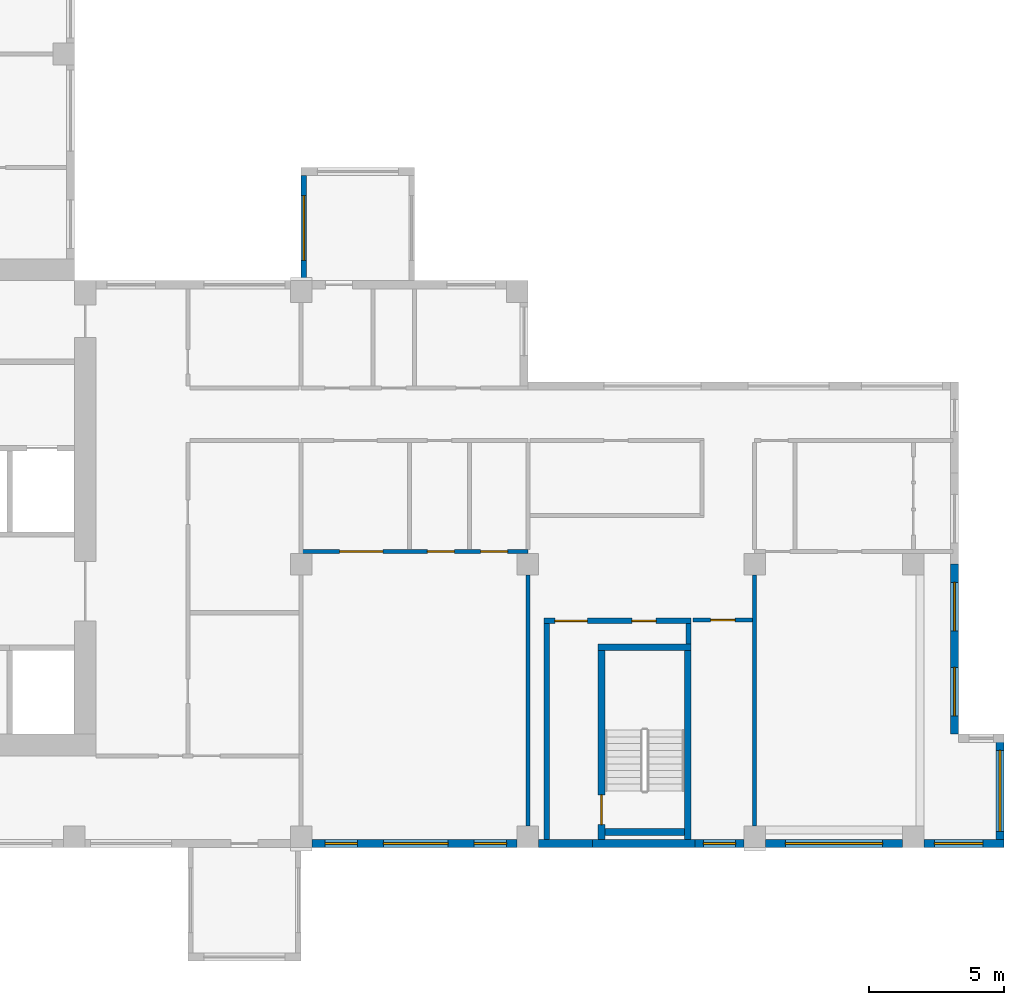
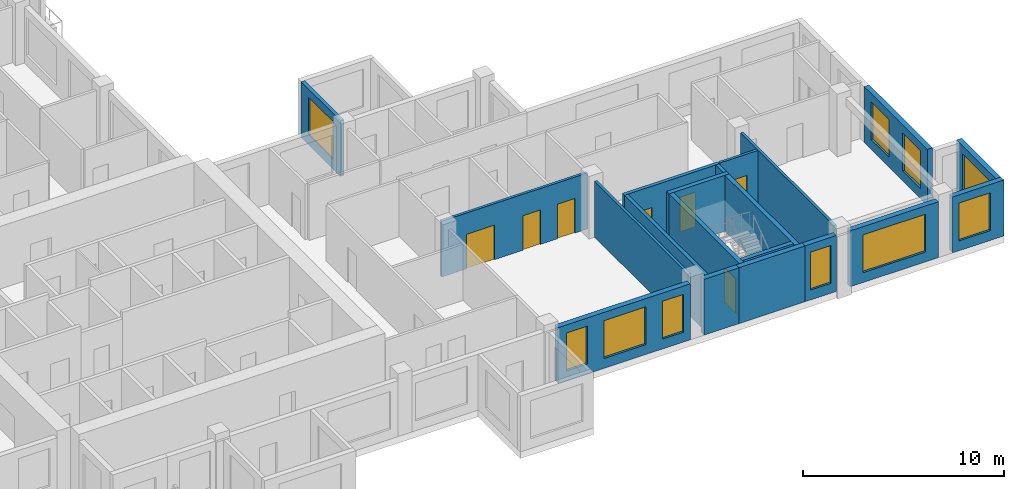
# One storey, part 6 of 14: 20 walls, 10 windows, 7 doors, 17 openings.
"""IFC4 building model written with IfcOpenShell, lengths in metres."""

from ifc_helpers import new_model, si_unit, direction, frame, frame_2d, origin, place, context, subcontext, project, spatial, rectangle, extrude, source, transform, mapped, material, layer, layer_set, type_object, element, fill, save


model = new_model("IFC4")

# Units and contexts
model_context = context("Model", 3, precision=1e-05, world=origin(), true_north=direction((0.0, 1.0)))
body_context = subcontext(model_context, "Body", "Model", "MODEL_VIEW")
ifc_project = project(units=[si_unit("LENGTHUNIT", "METRE"), si_unit("AREAUNIT", "SQUARE_METRE"), si_unit("VOLUMEUNIT", "CUBIC_METRE"), si_unit("PLANEANGLEUNIT", "RADIAN"), si_unit("MASSUNIT", "GRAM", prefix="KILO")], contexts=[model_context])

# Site, building, storey
site_placement = place(None, origin())
site = spatial("IfcSite", under=ifc_project, at=site_placement, CompositionType="ELEMENT")
building_placement = place(site_placement, origin())
building = spatial("IfcBuilding", under=site, at=building_placement, Name="Aurelian Terraces", CompositionType="ELEMENT")
storey_placement = place(building_placement, frame((0.0, 0.0, 231.0)))
storey = spatial("IfcBuildingStorey", under=building, at=storey_placement, Name="L52", CompositionType="ELEMENT", Elevation=231.0)

# Wall, opening, window
ifc_material_1 = material(Name="Terracotta rainscreen cladding", Category="masonry")
ifc_layer_1 = layer(ifc_material_1, 0.3)
ifc_layer_set_1 = layer_set([ifc_layer_1], Name="EW-300")
wall_type_1 = type_object("IfcWallType", Name="EW-300", PredefinedType="STANDARD", material=ifc_layer_set_1)
shared_shape_1 = source(origin(), body_context, "Body", "SweptSolid", [
    extrude(rectangle(XDim=4.2, YDim=0.3, at=frame_2d((2.1, 0.0))), origin(), (0.0, 0.0, 1.0), 3.4),
])
wall_1_placement = place(storey_placement, frame((55.29, 0.0, 0.0), z_axis=(0.0, 0.0, 1.0), x_axis=(0.0, 1.0, 0.0)))
wall_1 = element("IfcWall", 1, at=wall_1_placement, inside=storey, type_object=wall_type_1, Name="External wall L52 F02.9", PredefinedType="STANDARD", context=body_context, shape_type="MappedRepresentation", body=[
    mapped(shared_shape_1, transform((0.0, 0.0, 0.0), scale=1.0)),
])
shared_shape_2 = source(origin(), body_context, "Body", "SweptSolid", [
    extrude(rectangle(XDim=3.0, YDim=2.3, at=frame_2d((1.5, 1.15))), frame((0.0, 0.16, 0.0), z_axis=(0.0, -1.0, 0.0), x_axis=(1.0, 0.0, 0.0)), (0.0, 0.0, 1.0), 0.32),
])
opening_1_placement = place(wall_1_placement, frame((0.6, 0.0, 0.6)))
opening_1 = element("IfcOpeningElement", 2, at=opening_1_placement, cuts=wall_1, Name="Opening W3023", PredefinedType="OPENING", context=body_context, shape_type="MappedRepresentation", body=[
    mapped(shared_shape_2, transform((0.0, 0.0, 0.0), scale=1.0)),
])
ifc_material_2 = material(Name="Clear glazing", Category="glass")
window_type_1 = type_object("IfcWindowType", Name="W-3000x2300", PartitioningType="SINGLE_PANEL", PredefinedType="WINDOW", material=ifc_material_2)
shared_shape_3 = source(origin(), body_context, "Body", "SweptSolid", [
    extrude(rectangle(XDim=3.0, YDim=2.3, at=frame_2d((1.5, 1.15))), frame((0.0, 0.03, 0.0), z_axis=(0.0, -1.0, 0.0), x_axis=(1.0, 0.0, 0.0)), (0.0, 0.0, 1.0), 0.06),
])
window_1_placement = place(opening_1_placement, origin())
window_1 = element("IfcWindow", 3, at=window_1_placement, inside=storey, type_object=window_type_1, Name="Window L52 L52-F02-09-0", OverallHeight=2.3, OverallWidth=3.0, PartitioningType="SINGLE_PANEL", PredefinedType="WINDOW", context=body_context, shape_type="MappedRepresentation", body=[
    mapped(shared_shape_3, transform((0.0, 0.0, 0.0), scale=1.0)),
])
fill(opening_1, window_1)

ifc_material_3 = material(Name="Concrete fc' 40 MPa", Category="concrete")
ifc_layer_2 = layer(ifc_material_3, 0.2)
ifc_layer_set_2 = layer_set([ifc_layer_2], Name="BOX BEARING WALL 200")
wall_type_2 = type_object("IfcWallType", Name="BOX BEARING WALL 200", PredefinedType="SOLIDWALL", material=ifc_layer_set_2)
shared_shape_4 = source(origin(), body_context, "Body", "SweptSolid", [
    extrude(rectangle(XDim=3.9, YDim=0.2, at=frame_2d((1.95, 0.0))), origin(), (0.0, 0.0, 1.0), 3.39),
])
wall_2_placement = place(storey_placement, frame((29.5, 21.0, 0.0), z_axis=(0.0, 0.0, 1.0), x_axis=(0.0, 1.0, 0.0)))
wall_2 = element("IfcWall", 4, at=wall_2_placement, inside=storey, type_object=wall_type_2, Name="Box return L52 J77.2", PredefinedType="SOLIDWALL", context=body_context, shape_type="MappedRepresentation", body=[
    mapped(shared_shape_4, transform((0.0, 0.0, 0.0), scale=1.0)),
])
shared_shape_5 = source(origin(), body_context, "Body", "SweptSolid", [
    extrude(rectangle(XDim=2.4, YDim=2.3, at=frame_2d((1.2, 1.15))), frame((0.0, 0.11, 0.0), z_axis=(0.0, -1.0, 0.0), x_axis=(1.0, 0.0, 0.0)), (0.0, 0.0, 1.0), 0.22),
])
opening_2_placement = place(wall_2_placement, frame((0.75, 0.0, 0.6)))
opening_2 = element("IfcOpeningElement", 5, at=opening_2_placement, cuts=wall_2, Name="Opening W2423", PredefinedType="OPENING", context=body_context, shape_type="MappedRepresentation", body=[
    mapped(shared_shape_5, transform((0.0, 0.0, 0.0), scale=1.0)),
])
window_type_2 = type_object("IfcWindowType", Name="W-2400x2300", PartitioningType="SINGLE_PANEL", PredefinedType="WINDOW", material=ifc_material_2)
shared_shape_6 = source(origin(), body_context, "Body", "SweptSolid", [
    extrude(rectangle(XDim=2.4, YDim=2.3, at=frame_2d((1.2, 1.15))), frame((0.0, 0.03, 0.0), z_axis=(0.0, -1.0, 0.0), x_axis=(1.0, 0.0, 0.0)), (0.0, 0.0, 1.0), 0.06),
])
window_2_placement = place(opening_2_placement, origin())
window_2 = element("IfcWindow", 6, at=window_2_placement, inside=storey, type_object=window_type_2, Name="Window L52 J77-S2", OverallHeight=2.3, OverallWidth=2.4, PartitioningType="SINGLE_PANEL", PredefinedType="WINDOW", context=body_context, shape_type="MappedRepresentation", body=[
    mapped(shared_shape_6, transform((0.0, 0.0, 0.0), scale=1.0)),
])
fill(opening_2, window_2)

# Wall
ifc_layer_3 = layer(ifc_material_3, 0.3)
ifc_layer_set_3 = layer_set([ifc_layer_3], Name="STAIR BAY WALL 300")
wall_type_3 = type_object("IfcWallType", Name="STAIR BAY WALL 300", PredefinedType="SOLIDWALL", material=ifc_layer_set_3)
shared_shape_7 = source(origin(), body_context, "Body", "SweptSolid", [
    extrude(rectangle(XDim=3.8, YDim=0.3, at=frame_2d((1.9, 0.0))), origin(), (0.0, 0.0, 1.0), 3.4),
])
wall_3_placement = place(storey_placement, frame((40.2, 0.15, 0.0), z_axis=(0.0, 0.0, 1.0), x_axis=(1.0, 0.0, 0.0)))
element("IfcWall", 7, at=wall_3_placement, inside=storey, type_object=wall_type_3, Name="Stair bay wall L52 F01.6", PredefinedType="SOLIDWALL", context=body_context, shape_type="MappedRepresentation", body=[
    mapped(shared_shape_7, transform((0.0, 0.0, 0.0), scale=1.0)),
])

# Wall, openings, windows
shared_shape_8 = source(origin(), body_context, "Body", "SweptSolid", [
    extrude(rectangle(XDim=6.3, YDim=0.3, at=frame_2d((3.15, 0.0))), origin(), (0.0, 0.0, 1.0), 3.4),
])
wall_4_placement = place(storey_placement, frame((53.61, 4.2, 0.0), z_axis=(0.0, 0.0, 1.0), x_axis=(0.0, 1.0, 0.0)))
wall_4 = element("IfcWall", 8, at=wall_4_placement, inside=storey, type_object=wall_type_1, Name="External wall L52 F04.11", PredefinedType="STANDARD", context=body_context, shape_type="MappedRepresentation", body=[
    mapped(shared_shape_8, transform((0.0, 0.0, 0.0), scale=1.0)),
])
shared_shape_9 = source(origin(), body_context, "Body", "SweptSolid", [
    extrude(rectangle(XDim=1.8, YDim=2.3, at=frame_2d((0.9, 1.15))), frame((0.0, 0.16, 0.0), z_axis=(0.0, -1.0, 0.0), x_axis=(1.0, 0.0, 0.0)), (0.0, 0.0, 1.0), 0.32),
])
opening_3_placement = place(wall_4_placement, frame((0.675, 0.0, 0.6)))
opening_3 = element("IfcOpeningElement", 9, at=opening_3_placement, cuts=wall_4, Name="Opening W1823", PredefinedType="OPENING", context=body_context, shape_type="MappedRepresentation", body=[
    mapped(shared_shape_9, transform((0.0, 0.0, 0.0), scale=1.0)),
])
opening_4_placement = place(wall_4_placement, frame((3.825, 0.0, 0.6)))
opening_4 = element("IfcOpeningElement", 10, at=opening_4_placement, cuts=wall_4, Name="Opening W1823", PredefinedType="OPENING", context=body_context, shape_type="MappedRepresentation", body=[
    mapped(shared_shape_9, transform((0.0, 0.0, 0.0), scale=1.0)),
])
window_type_3 = type_object("IfcWindowType", Name="W-1800x2300", PartitioningType="SINGLE_PANEL", PredefinedType="WINDOW", material=ifc_material_2)
shared_shape_10 = source(origin(), body_context, "Body", "SweptSolid", [
    extrude(rectangle(XDim=1.8, YDim=2.3, at=frame_2d((0.9, 1.15))), frame((0.0, 0.03, 0.0), z_axis=(0.0, -1.0, 0.0), x_axis=(1.0, 0.0, 0.0)), (0.0, 0.0, 1.0), 0.06),
])
window_3_placement = place(opening_3_placement, origin())
window_3 = element("IfcWindow", 11, at=window_3_placement, inside=storey, type_object=window_type_3, Name="Window L52 L52-F04-11-0", OverallHeight=2.3, OverallWidth=1.8, PartitioningType="SINGLE_PANEL", PredefinedType="WINDOW", context=body_context, shape_type="MappedRepresentation", body=[
    mapped(shared_shape_10, transform((0.0, 0.0, 0.0), scale=1.0)),
])
fill(opening_3, window_3)
window_4_placement = place(opening_4_placement, origin())
window_4 = element("IfcWindow", 12, at=window_4_placement, inside=storey, type_object=window_type_3, Name="Window L52 L52-F04-11-1", OverallHeight=2.3, OverallWidth=1.8, PartitioningType="SINGLE_PANEL", PredefinedType="WINDOW", context=body_context, shape_type="MappedRepresentation", body=[
    mapped(shared_shape_10, transform((0.0, 0.0, 0.0), scale=1.0)),
])
fill(opening_4, window_4)

shared_shape_11 = source(origin(), body_context, "Body", "SweptSolid", [
    extrude(rectangle(XDim=7.6, YDim=0.3, at=frame_2d((3.8, 0.0))), origin(), (0.0, 0.0, 1.0), 3.4),
])
wall_5_placement = place(storey_placement, frame((29.8, 0.15, 0.0), z_axis=(0.0, 0.0, 1.0), x_axis=(1.0, 0.0, 0.0)))
wall_5 = element("IfcWall", 13, at=wall_5_placement, inside=storey, type_object=wall_type_1, Name="External wall L52 F01.5", PredefinedType="STANDARD", context=body_context, shape_type="MappedRepresentation", body=[
    mapped(shared_shape_11, transform((0.0, 0.0, 0.0), scale=1.0)),
])
shared_shape_12 = source(origin(), body_context, "Body", "SweptSolid", [
    extrude(rectangle(XDim=1.2, YDim=2.3, at=frame_2d((0.6, 1.15))), frame((0.0, 0.16, 0.0), z_axis=(0.0, -1.0, 0.0), x_axis=(1.0, 0.0, 0.0)), (0.0, 0.0, 1.0), 0.32),
])
opening_5_placement = place(wall_5_placement, frame((0.4875, 0.0, 0.6)))
opening_5 = element("IfcOpeningElement", 14, at=opening_5_placement, cuts=wall_5, Name="Opening W1223", PredefinedType="OPENING", context=body_context, shape_type="MappedRepresentation", body=[
    mapped(shared_shape_12, transform((0.0, 0.0, 0.0), scale=1.0)),
])
opening_6_placement = place(wall_5_placement, frame((6.0125, 0.0, 0.6)))
opening_6 = element("IfcOpeningElement", 15, at=opening_6_placement, cuts=wall_5, Name="Opening W1223", PredefinedType="OPENING", context=body_context, shape_type="MappedRepresentation", body=[
    mapped(shared_shape_12, transform((0.0, 0.0, 0.0), scale=1.0)),
])
shared_shape_13 = source(origin(), body_context, "Body", "SweptSolid", [
    extrude(rectangle(XDim=2.4, YDim=2.3, at=frame_2d((1.2, 1.15))), frame((0.0, 0.16, 0.0), z_axis=(0.0, -1.0, 0.0), x_axis=(1.0, 0.0, 0.0)), (0.0, 0.0, 1.0), 0.32),
])
opening_7_placement = place(wall_5_placement, frame((2.65, 0.0, 0.6)))
opening_7 = element("IfcOpeningElement", 16, at=opening_7_placement, cuts=wall_5, Name="Opening W2423", PredefinedType="OPENING", context=body_context, shape_type="MappedRepresentation", body=[
    mapped(shared_shape_13, transform((0.0, 0.0, 0.0), scale=1.0)),
])
window_type_4 = type_object("IfcWindowType", Name="W-1200x2300", PartitioningType="SINGLE_PANEL", PredefinedType="WINDOW", material=ifc_material_2)
shared_shape_14 = source(origin(), body_context, "Body", "SweptSolid", [
    extrude(rectangle(XDim=1.2, YDim=2.3, at=frame_2d((0.6, 1.15))), frame((0.0, 0.03, 0.0), z_axis=(0.0, -1.0, 0.0), x_axis=(1.0, 0.0, 0.0)), (0.0, 0.0, 1.0), 0.06),
])
window_5_placement = place(opening_5_placement, origin())
window_5 = element("IfcWindow", 17, at=window_5_placement, inside=storey, type_object=window_type_4, Name="Window L52 L52-F01-05-0", OverallHeight=2.3, OverallWidth=1.2, PartitioningType="SINGLE_PANEL", PredefinedType="WINDOW", context=body_context, shape_type="MappedRepresentation", body=[
    mapped(shared_shape_14, transform((0.0, 0.0, 0.0), scale=1.0)),
])
fill(opening_5, window_5)
window_6_placement = place(opening_6_placement, origin())
window_6 = element("IfcWindow", 18, at=window_6_placement, inside=storey, type_object=window_type_4, Name="Window L52 L52-F01-05-1", OverallHeight=2.3, OverallWidth=1.2, PartitioningType="SINGLE_PANEL", PredefinedType="WINDOW", context=body_context, shape_type="MappedRepresentation", body=[
    mapped(shared_shape_14, transform((0.0, 0.0, 0.0), scale=1.0)),
])
fill(opening_6, window_6)
window_7_placement = place(opening_7_placement, origin())
window_7 = element("IfcWindow", 19, at=window_7_placement, inside=storey, type_object=window_type_2, Name="Window L52 L52-F01-05-G0-21", OverallHeight=2.3, OverallWidth=2.4, PartitioningType="SINGLE_PANEL", PredefinedType="WINDOW", context=body_context, shape_type="MappedRepresentation", body=[
    mapped(shared_shape_6, transform((0.0, 0.0, 0.0), scale=1.0)),
])
fill(opening_7, window_7)

# Wall, opening, window
shared_shape_15 = source(origin(), body_context, "Body", "SweptSolid", [
    extrude(rectangle(XDim=2.96, YDim=0.3, at=frame_2d((1.48, 0.0))), origin(), (0.0, 0.0, 1.0), 3.4),
])
wall_6_placement = place(storey_placement, frame((52.48, 0.15, 0.0), z_axis=(0.0, 0.0, 1.0), x_axis=(1.0, 0.0, 0.0)))
wall_6 = element("IfcWall", 20, at=wall_6_placement, inside=storey, type_object=wall_type_1, Name="External wall L52 F01.8", PredefinedType="STANDARD", context=body_context, shape_type="MappedRepresentation", body=[
    mapped(shared_shape_15, transform((0.0, 0.0, 0.0), scale=1.0)),
])
opening_8_placement = place(wall_6_placement, frame((0.38, 0.0, 0.6)))
opening_8 = element("IfcOpeningElement", 21, at=opening_8_placement, cuts=wall_6, Name="Opening W1823", PredefinedType="OPENING", context=body_context, shape_type="MappedRepresentation", body=[
    mapped(shared_shape_9, transform((0.0, 0.0, 0.0), scale=1.0)),
])
window_8_placement = place(opening_8_placement, origin())
window_8 = element("IfcWindow", 22, at=window_8_placement, inside=storey, type_object=window_type_3, Name="Window L52 L52-F01-08-0", OverallHeight=2.3, OverallWidth=1.8, PartitioningType="SINGLE_PANEL", PredefinedType="WINDOW", context=body_context, shape_type="MappedRepresentation", body=[
    mapped(shared_shape_10, transform((0.0, 0.0, 0.0), scale=1.0)),
])
fill(opening_8, window_8)

# Wall
shared_shape_16 = source(origin(), body_context, "Body", "SweptSolid", [
    extrude(rectangle(XDim=2.0, YDim=0.3, at=frame_2d((1.0, 0.0))), origin(), (0.0, 0.0, 1.0), 3.4),
])
wall_7_placement = place(storey_placement, frame((38.2, 0.15, 0.0), z_axis=(0.0, 0.0, 1.0), x_axis=(1.0, 0.0, 0.0)))
element("IfcWall", 23, at=wall_7_placement, inside=storey, type_object=wall_type_1, Name="External wall L52 F01.6", PredefinedType="STANDARD", context=body_context, shape_type="MappedRepresentation", body=[
    mapped(shared_shape_16, transform((0.0, 0.0, 0.0), scale=1.0)),
])

# Wall, opening, window
shared_shape_17 = source(origin(), body_context, "Body", "SweptSolid", [
    extrude(rectangle(XDim=1.8, YDim=0.3, at=frame_2d((0.9, 0.0))), origin(), (0.0, 0.0, 1.0), 3.4),
])
wall_8_placement = place(storey_placement, frame((44.0, 0.15, 0.0), z_axis=(0.0, 0.0, 1.0), x_axis=(1.0, 0.0, 0.0)))
wall_8 = element("IfcWall", 24, at=wall_8_placement, inside=storey, type_object=wall_type_1, Name="External wall L52 F01.6", PredefinedType="STANDARD", context=body_context, shape_type="MappedRepresentation", body=[
    mapped(shared_shape_17, transform((0.0, 0.0, 0.0), scale=1.0)),
])
opening_9_placement = place(wall_8_placement, frame((0.3, 0.0, 0.6)))
opening_9 = element("IfcOpeningElement", 25, at=opening_9_placement, cuts=wall_8, Name="Opening W1223", PredefinedType="OPENING", context=body_context, shape_type="MappedRepresentation", body=[
    mapped(shared_shape_12, transform((0.0, 0.0, 0.0), scale=1.0)),
])
window_9_placement = place(opening_9_placement, origin())
window_9 = element("IfcWindow", 26, at=window_9_placement, inside=storey, type_object=window_type_4, Name="Window L52 L52-F01-06-P2", OverallHeight=2.3, OverallWidth=1.2, PartitioningType="SINGLE_PANEL", PredefinedType="WINDOW", context=body_context, shape_type="MappedRepresentation", body=[
    mapped(shared_shape_14, transform((0.0, 0.0, 0.0), scale=1.0)),
])
fill(opening_9, window_9)

shared_shape_18 = source(origin(), body_context, "Body", "SweptSolid", [
    extrude(rectangle(XDim=5.08, YDim=0.3, at=frame_2d((2.54, 0.0))), origin(), (0.0, 0.0, 1.0), 3.4),
])
wall_9_placement = place(storey_placement, frame((46.6, 0.15, 0.0), z_axis=(0.0, 0.0, 1.0), x_axis=(1.0, 0.0, 0.0)))
wall_9 = element("IfcWall", 27, at=wall_9_placement, inside=storey, type_object=wall_type_1, Name="External wall L52 F01.7", PredefinedType="STANDARD", context=body_context, shape_type="MappedRepresentation", body=[
    mapped(shared_shape_18, transform((0.0, 0.0, 0.0), scale=1.0)),
])
shared_shape_19 = source(origin(), body_context, "Body", "SweptSolid", [
    extrude(rectangle(XDim=3.6, YDim=2.3, at=frame_2d((1.8, 1.15))), frame((0.0, 0.16, 0.0), z_axis=(0.0, -1.0, 0.0), x_axis=(1.0, 0.0, 0.0)), (0.0, 0.0, 1.0), 0.32),
])
opening_10_placement = place(wall_9_placement, frame((0.74, 0.0, 0.6)))
opening_10 = element("IfcOpeningElement", 28, at=opening_10_placement, cuts=wall_9, Name="Opening W3623", PredefinedType="OPENING", context=body_context, shape_type="MappedRepresentation", body=[
    mapped(shared_shape_19, transform((0.0, 0.0, 0.0), scale=1.0)),
])
window_type_5 = type_object("IfcWindowType", Name="W-3600x2300", PartitioningType="SINGLE_PANEL", PredefinedType="WINDOW", material=ifc_material_2)
shared_shape_20 = source(origin(), body_context, "Body", "SweptSolid", [
    extrude(rectangle(XDim=3.6, YDim=2.3, at=frame_2d((1.8, 1.15))), frame((0.0, 0.03, 0.0), z_axis=(0.0, -1.0, 0.0), x_axis=(1.0, 0.0, 0.0)), (0.0, 0.0, 1.0), 0.06),
])
window_10_placement = place(opening_10_placement, origin())
window_10 = element("IfcWindow", 29, at=window_10_placement, inside=storey, type_object=window_type_5, Name="Window L52 L52-F01-07-0", OverallHeight=2.3, OverallWidth=3.6, PartitioningType="SINGLE_PANEL", PredefinedType="WINDOW", context=body_context, shape_type="MappedRepresentation", body=[
    mapped(shared_shape_20, transform((0.0, 0.0, 0.0), scale=1.0)),
])
fill(opening_10, window_10)

# Wall, opening, door
ifc_layer_4 = layer(ifc_material_3, 0.25)
ifc_layer_set_4 = layer_set([ifc_layer_4], Name="Stair enclosure wall 250")
wall_type_4 = type_object("IfcWallType", Name="Stair enclosure wall 250", PredefinedType="SOLIDWALL", material=ifc_layer_set_4)
shared_shape_21 = source(origin(), body_context, "Body", "SweptSolid", [
    extrude(rectangle(XDim=7.0, YDim=0.25, at=frame_2d((3.5, 0.0))), origin(), (0.0, 0.0, 1.0), 3.4),
])
wall_10_placement = place(storey_placement, frame((40.525, 0.3, 0.0), z_axis=(0.0, 0.0, 1.0), x_axis=(0.0, 1.0, 0.0)))
wall_10 = element("IfcWall", 30, at=wall_10_placement, inside=storey, type_object=wall_type_4, Name="L52 core wall ST-S2-W", PredefinedType="SOLIDWALL", context=body_context, shape_type="MappedRepresentation", body=[
    mapped(shared_shape_21, transform((0.0, 0.0, 0.0), scale=1.0)),
])
shared_shape_22 = source(origin(), body_context, "Body", "SweptSolid", [
    extrude(rectangle(XDim=1.1, YDim=2.1, at=frame_2d((0.55, 1.05))), frame((0.0, 0.135, 0.0), z_axis=(0.0, -1.0, 0.0), x_axis=(1.0, 0.0, 0.0)), (0.0, 0.0, 1.0), 0.27),
])
opening_11_placement = place(wall_10_placement, frame((0.55, 0.0, 0.0)))
opening_11 = element("IfcOpeningElement", 31, at=opening_11_placement, cuts=wall_10, Name="Opening 65515", PredefinedType="OPENING", context=body_context, shape_type="MappedRepresentation", body=[
    mapped(shared_shape_22, transform((0.0, 0.0, 0.0), scale=1.0)),
])
ifc_material_4 = material(Name="Steel door leaf", Category="steel")
door_type_1 = type_object("IfcDoorType", Name="Core fire door 1100x2100", OperationType="SINGLE_SWING_LEFT", PredefinedType="DOOR", material=ifc_material_4)
shared_shape_23 = source(origin(), body_context, "Body", "SweptSolid", [
    extrude(rectangle(XDim=1.1, YDim=2.1, at=frame_2d((0.55, 1.05))), frame((0.0, 0.025, 0.0), z_axis=(0.0, -1.0, 0.0), x_axis=(1.0, 0.0, 0.0)), (0.0, 0.0, 1.0), 0.05),
])
door_1_placement = place(opening_11_placement, origin())
door_1 = element("IfcDoor", 32, at=door_1_placement, inside=storey, type_object=door_type_1, Name="Stair door 65515", OperationType="SINGLE_SWING_LEFT", OverallHeight=2.1, OverallWidth=1.1, PredefinedType="DOOR", context=body_context, shape_type="MappedRepresentation", body=[
    mapped(shared_shape_23, transform((0.0, 0.0, 0.0), scale=1.0)),
])
fill(opening_11, door_1)

# Walls
wall_11_placement = place(storey_placement, frame((43.725, 0.3, 0.0), z_axis=(0.0, 0.0, 1.0), x_axis=(0.0, 1.0, 0.0)))
element("IfcWall", 33, at=wall_11_placement, inside=storey, type_object=wall_type_4, Name="L52 core wall ST-S2-E", PredefinedType="SOLIDWALL", context=body_context, shape_type="MappedRepresentation", body=[
    mapped(shared_shape_21, transform((0.0, 0.0, 0.0), scale=1.0)),
])
shared_shape_24 = source(origin(), body_context, "Body", "SweptSolid", [
    extrude(rectangle(XDim=3.45, YDim=0.25, at=frame_2d((1.725, 0.0))), origin(), (0.0, 0.0, 1.0), 3.4),
])
wall_12_placement = place(storey_placement, frame((40.4, 7.425, 0.0), z_axis=(0.0, 0.0, 1.0), x_axis=(1.0, 0.0, 0.0)))
element("IfcWall", 34, at=wall_12_placement, inside=storey, type_object=wall_type_4, Name="L52 core wall ST-S2-N", PredefinedType="SOLIDWALL", context=body_context, shape_type="MappedRepresentation", body=[
    mapped(shared_shape_24, transform((0.0, 0.0, 0.0), scale=1.0)),
])
shared_shape_25 = source(origin(), body_context, "Body", "SweptSolid", [
    extrude(rectangle(XDim=2.95, YDim=0.25, at=frame_2d((1.475, 0.0))), origin(), (0.0, 0.0, 1.0), 3.4),
])
wall_13_placement = place(storey_placement, frame((40.65, 0.575, 0.0), z_axis=(0.0, 0.0, 1.0), x_axis=(1.0, 0.0, 0.0)))
element("IfcWall", 35, at=wall_13_placement, inside=storey, type_object=wall_type_4, Name="L52 core wall ST-S2-SS", PredefinedType="SOLIDWALL", context=body_context, shape_type="MappedRepresentation", body=[
    mapped(shared_shape_25, transform((0.0, 0.0, 0.0), scale=1.0)),
])

# Wall, openings, doors
ifc_material_5 = material(Name="Gypsum board on steel studs", Category="steel")
ifc_layer_5 = layer(ifc_material_5, 0.2)
ifc_layer_set_5 = layer_set([ifc_layer_5], Name="Core partition 200")
wall_type_5 = type_object("IfcWallType", Name="Core partition 200", PredefinedType="PARTITIONING", material=ifc_layer_set_5)
shared_shape_26 = source(origin(), body_context, "Body", "SweptSolid", [
    extrude(rectangle(XDim=5.45, YDim=0.2, at=frame_2d((2.725, 0.0))), origin(), (0.0, 0.0, 1.0), 3.4),
])
wall_14_placement = place(storey_placement, frame((38.4, 8.4, 0.0), z_axis=(0.0, 0.0, 1.0), x_axis=(1.0, 0.0, 0.0)))
wall_14 = element("IfcWall", 36, at=wall_14_placement, inside=storey, type_object=wall_type_5, Name="L52 core wall ST-S2-BN", PredefinedType="PARTITIONING", context=body_context, shape_type="MappedRepresentation", body=[
    mapped(shared_shape_26, transform((0.0, 0.0, 0.0), scale=1.0)),
])
shared_shape_27 = source(origin(), body_context, "Body", "SweptSolid", [
    extrude(rectangle(XDim=1.2, YDim=2.1, at=frame_2d((0.6, 1.05))), frame((0.0, 0.11, 0.0), z_axis=(0.0, -1.0, 0.0), x_axis=(1.0, 0.0, 0.0)), (0.0, 0.0, 1.0), 0.22),
])
opening_12_placement = place(wall_14_placement, frame((0.4, 0.0, 0.0)))
opening_12 = element("IfcOpeningElement", 37, at=opening_12_placement, cuts=wall_14, Name="Opening 65516", PredefinedType="OPENING", context=body_context, shape_type="MappedRepresentation", body=[
    mapped(shared_shape_27, transform((0.0, 0.0, 0.0), scale=1.0)),
])
shared_shape_28 = source(origin(), body_context, "Body", "SweptSolid", [
    extrude(rectangle(XDim=0.9, YDim=2.1, at=frame_2d((0.45, 1.05))), frame((0.0, 0.11, 0.0), z_axis=(0.0, -1.0, 0.0), x_axis=(1.0, 0.0, 0.0)), (0.0, 0.0, 1.0), 0.22),
])
opening_13_placement = place(wall_14_placement, frame((3.25, 0.0, 0.0)))
opening_13 = element("IfcOpeningElement", 38, at=opening_13_placement, cuts=wall_14, Name="Opening 65517", PredefinedType="OPENING", context=body_context, shape_type="MappedRepresentation", body=[
    mapped(shared_shape_28, transform((0.0, 0.0, 0.0), scale=1.0)),
])
door_type_2 = type_object("IfcDoorType", Name="Core riser door 900x2100", OperationType="SINGLE_SWING_LEFT", PredefinedType="DOOR", material=ifc_material_4)
shared_shape_29 = source(origin(), body_context, "Body", "SweptSolid", [
    extrude(rectangle(XDim=0.9, YDim=2.1, at=frame_2d((0.45, 1.05))), frame((0.0, 0.025, 0.0), z_axis=(0.0, -1.0, 0.0), x_axis=(1.0, 0.0, 0.0)), (0.0, 0.0, 1.0), 0.05),
])
door_2_placement = place(opening_13_placement, origin())
door_2 = element("IfcDoor", 39, at=door_2_placement, inside=storey, type_object=door_type_2, Name="Riser door 65517", OperationType="SINGLE_SWING_LEFT", OverallHeight=2.1, OverallWidth=0.9, PredefinedType="DOOR", context=body_context, shape_type="MappedRepresentation", body=[
    mapped(shared_shape_29, transform((0.0, 0.0, 0.0), scale=1.0)),
])
fill(opening_13, door_2)
door_type_3 = type_object("IfcDoorType", Name="Core fire door 1200x2100 right", OperationType="SINGLE_SWING_RIGHT", PredefinedType="DOOR", material=ifc_material_4)
shared_shape_30 = source(origin(), body_context, "Body", "SweptSolid", [
    extrude(rectangle(XDim=1.2, YDim=2.1, at=frame_2d((0.6, 1.05))), frame((0.0, 0.025, 0.0), z_axis=(0.0, -1.0, 0.0), x_axis=(1.0, 0.0, 0.0)), (0.0, 0.0, 1.0), 0.05),
])
door_3_placement = place(opening_12_placement, origin())
door_3 = element("IfcDoor", 40, at=door_3_placement, inside=storey, type_object=door_type_3, Name="Vestibule door 65516", OperationType="SINGLE_SWING_RIGHT", OverallHeight=2.1, OverallWidth=1.2, PredefinedType="DOOR", context=body_context, shape_type="MappedRepresentation", body=[
    mapped(shared_shape_30, transform((0.0, 0.0, 0.0), scale=1.0)),
])
fill(opening_12, door_3)

# Walls
shared_shape_31 = source(origin(), body_context, "Body", "SweptSolid", [
    extrude(rectangle(XDim=0.75, YDim=0.2, at=frame_2d((0.375, 0.0))), origin(), (0.0, 0.0, 1.0), 3.4),
])
wall_15_placement = place(storey_placement, frame((43.75, 7.55, 0.0), z_axis=(0.0, 0.0, 1.0), x_axis=(0.0, 1.0, 0.0)))
element("IfcWall", 41, at=wall_15_placement, inside=storey, type_object=wall_type_5, Name="L52 core wall ST-S2-RE", PredefinedType="PARTITIONING", context=body_context, shape_type="MappedRepresentation", body=[
    mapped(shared_shape_31, transform((0.0, 0.0, 0.0), scale=1.0)),
])
shared_shape_32 = source(origin(), body_context, "Body", "SweptSolid", [
    extrude(rectangle(XDim=8.0, YDim=0.2, at=frame_2d((4.0, 0.0))), origin(), (0.0, 0.0, 1.0), 3.4),
])
wall_16_placement = place(storey_placement, frame((38.5, 0.3, 0.0), z_axis=(0.0, 0.0, 1.0), x_axis=(0.0, 1.0, 0.0)))
element("IfcWall", 42, at=wall_16_placement, inside=storey, type_object=wall_type_5, Name="L52 core wall ST-S2-VW", PredefinedType="PARTITIONING", context=body_context, shape_type="MappedRepresentation", body=[
    mapped(shared_shape_32, transform((0.0, 0.0, 0.0), scale=1.0)),
])

# Wall, openings, doors
ifc_layer_6 = layer(ifc_material_5, 0.15)
ifc_layer_set_6 = layer_set([ifc_layer_6], Name="Partition 150")
wall_type_6 = type_object("IfcWallType", Name="Partition 150", PredefinedType="PARTITIONING", material=ifc_layer_set_6)
shared_shape_33 = source(origin(), body_context, "Body", "SweptSolid", [
    extrude(rectangle(XDim=8.4, YDim=0.15, at=frame_2d((4.2, 0.0))), origin(), (0.0, 0.0, 1.0), 3.4),
])
wall_17_placement = place(storey_placement, frame((37.8, 10.975, 0.0), z_axis=(0.0, 0.0, 1.0), x_axis=(-1.0, 0.0, 0.0)))
wall_17 = element("IfcWall", 43, at=wall_17_placement, inside=storey, type_object=wall_type_6, Name="Partition", PredefinedType="PARTITIONING", context=body_context, shape_type="MappedRepresentation", body=[
    mapped(shared_shape_33, transform((0.0, 0.0, 0.0), scale=1.0)),
])
shared_shape_34 = source(origin(), body_context, "Body", "SweptSolid", [
    extrude(rectangle(XDim=1.6, YDim=2.1, at=frame_2d((0.8, 1.05))), frame((0.0, 0.085, 0.0), z_axis=(0.0, -1.0, 0.0), x_axis=(1.0, 0.0, 0.0)), (0.0, 0.0, 1.0), 0.17),
])
opening_14_placement = place(wall_17_placement, frame((5.3763, 0.0, 0.0)))
opening_14 = element("IfcOpeningElement", 44, at=opening_14_placement, cuts=wall_17, Name="Opening 752008", PredefinedType="OPENING", context=body_context, shape_type="MappedRepresentation", body=[
    mapped(shared_shape_34, transform((0.0, 0.0, 0.0), scale=1.0)),
])
shared_shape_35 = source(origin(), body_context, "Body", "SweptSolid", [
    extrude(rectangle(XDim=1.0, YDim=2.1, at=frame_2d((0.5, 1.05))), frame((0.0, 0.085, 0.0), z_axis=(0.0, -1.0, 0.0), x_axis=(1.0, 0.0, 0.0)), (0.0, 0.0, 1.0), 0.17),
])
opening_15_placement = place(wall_17_placement, frame((2.7224, 0.0, 0.0)))
opening_15 = element("IfcOpeningElement", 45, at=opening_15_placement, cuts=wall_17, Name="Opening 752009", PredefinedType="OPENING", context=body_context, shape_type="MappedRepresentation", body=[
    mapped(shared_shape_35, transform((0.0, 0.0, 0.0), scale=1.0)),
])
opening_16_placement = place(wall_17_placement, frame((0.7461, 0.0, 0.0)))
opening_16 = element("IfcOpeningElement", 46, at=opening_16_placement, cuts=wall_17, Name="Opening 752010", PredefinedType="OPENING", context=body_context, shape_type="MappedRepresentation", body=[
    mapped(shared_shape_35, transform((0.0, 0.0, 0.0), scale=1.0)),
])
ifc_material_6 = material(Name="Timber door leaf", Category="wood")
door_type_4 = type_object("IfcDoorType", Name="Room door 1000x2100 right", OperationType="SINGLE_SWING_RIGHT", PredefinedType="DOOR", material=ifc_material_6)
shared_shape_36 = source(origin(), body_context, "Body", "SweptSolid", [
    extrude(rectangle(XDim=1.0, YDim=2.1, at=frame_2d((0.5, 1.05))), frame((0.0, 0.025, 0.0), z_axis=(0.0, -1.0, 0.0), x_axis=(1.0, 0.0, 0.0)), (0.0, 0.0, 1.0), 0.05),
])
door_4_placement = place(opening_15_placement, origin())
door_4 = element("IfcDoor", 47, at=door_4_placement, inside=storey, type_object=door_type_4, Name="Door 752009", OperationType="SINGLE_SWING_RIGHT", OverallHeight=2.1, OverallWidth=1.0, PredefinedType="DOOR", context=body_context, shape_type="MappedRepresentation", body=[
    mapped(shared_shape_36, transform((0.0, 0.0, 0.0), scale=1.0)),
])
fill(opening_15, door_4)
door_type_5 = type_object("IfcDoorType", Name="Room door 1000x2100 left", OperationType="SINGLE_SWING_LEFT", PredefinedType="DOOR", material=ifc_material_6)
door_5_placement = place(opening_16_placement, origin())
door_5 = element("IfcDoor", 48, at=door_5_placement, inside=storey, type_object=door_type_5, Name="Door 752010", OperationType="SINGLE_SWING_LEFT", OverallHeight=2.1, OverallWidth=1.0, PredefinedType="DOOR", context=body_context, shape_type="MappedRepresentation", body=[
    mapped(shared_shape_36, transform((0.0, 0.0, 0.0), scale=1.0)),
])
fill(opening_16, door_5)
door_type_6 = type_object("IfcDoorType", Name="Room door 1600x2100 left", OperationType="SINGLE_SWING_LEFT", PredefinedType="DOOR", material=ifc_material_6)
shared_shape_37 = source(origin(), body_context, "Body", "SweptSolid", [
    extrude(rectangle(XDim=1.6, YDim=2.1, at=frame_2d((0.8, 1.05))), frame((0.0, 0.025, 0.0), z_axis=(0.0, -1.0, 0.0), x_axis=(1.0, 0.0, 0.0)), (0.0, 0.0, 1.0), 0.05),
])
door_6_placement = place(opening_14_placement, origin())
door_6 = element("IfcDoor", 49, at=door_6_placement, inside=storey, type_object=door_type_6, Name="Door 752008", OperationType="SINGLE_SWING_LEFT", OverallHeight=2.1, OverallWidth=1.6, PredefinedType="DOOR", context=body_context, shape_type="MappedRepresentation", body=[
    mapped(shared_shape_37, transform((0.0, 0.0, 0.0), scale=1.0)),
])
fill(opening_14, door_6)

# Wall, opening, door
shared_shape_38 = source(origin(), body_context, "Body", "SweptSolid", [
    extrude(rectangle(XDim=2.2, YDim=0.15, at=frame_2d((1.1, 0.0))), origin(), (0.0, 0.0, 1.0), 3.4),
])
wall_18_placement = place(storey_placement, frame((46.125, 8.425, 0.0), z_axis=(0.0, 0.0, 1.0), x_axis=(-1.0, 0.0, 0.0)))
wall_18 = element("IfcWall", 50, at=wall_18_placement, inside=storey, type_object=wall_type_6, Name="Partition", PredefinedType="PARTITIONING", context=body_context, shape_type="MappedRepresentation", body=[
    mapped(shared_shape_38, transform((0.0, 0.0, 0.0), scale=1.0)),
])
shared_shape_39 = source(origin(), body_context, "Body", "SweptSolid", [
    extrude(rectangle(XDim=0.9, YDim=2.1, at=frame_2d((0.45, 1.05))), frame((0.0, 0.085, 0.0), z_axis=(0.0, -1.0, 0.0), x_axis=(1.0, 0.0, 0.0)), (0.0, 0.0, 1.0), 0.17),
])
opening_17_placement = place(wall_18_placement, frame((0.65, 0.0, 0.0)))
opening_17 = element("IfcOpeningElement", 51, at=opening_17_placement, cuts=wall_18, Name="Opening 752006", PredefinedType="OPENING", context=body_context, shape_type="MappedRepresentation", body=[
    mapped(shared_shape_39, transform((0.0, 0.0, 0.0), scale=1.0)),
])
door_type_7 = type_object("IfcDoorType", Name="Room door 900x2100 left", OperationType="SINGLE_SWING_LEFT", PredefinedType="DOOR", material=ifc_material_6)
door_7_placement = place(opening_17_placement, origin())
door_7 = element("IfcDoor", 52, at=door_7_placement, inside=storey, type_object=door_type_7, Name="Door 752006", OperationType="SINGLE_SWING_LEFT", OverallHeight=2.1, OverallWidth=0.9, PredefinedType="DOOR", context=body_context, shape_type="MappedRepresentation", body=[
    mapped(shared_shape_29, transform((0.0, 0.0, 0.0), scale=1.0)),
])
fill(opening_17, door_7)

# Walls
ifc_layer_7 = layer(ifc_material_5, 0.15)
ifc_layer_set_7 = layer_set([ifc_layer_7], Name="Fire partition 150")
wall_type_7 = type_object("IfcWallType", Name="Fire partition 150", PredefinedType="PARTITIONING", material=ifc_layer_set_7)
shared_shape_40 = source(origin(), body_context, "Body", "SweptSolid", [
    extrude(rectangle(XDim=9.302, YDim=0.15, at=frame_2d((4.651, 0.0))), origin(), (0.0, 0.0, 1.0), 3.4),
])
for number, where, z_axis, x_axis, name in (
    (53, (37.8, 0.799, 0.0), (0.0, 0.0, 1.0), (0.0, 1.0, 0.0), "Party wall"),
    (54, (46.2, 0.799, 0.0), (0.0, 0.0, 1.0), (0.0, 1.0, 0.0), "Party wall"),
):
    element("IfcWall", number, at=place(storey_placement, frame(where, z_axis=z_axis, x_axis=x_axis)), inside=storey, type_object=wall_type_7, Name=name, PredefinedType="PARTITIONING", context=body_context, shape_type="MappedRepresentation", body=[
        mapped(shared_shape_40, transform((0.0, 0.0, 0.0), scale=1.0)),
    ])

save(model, "model.ifc")
